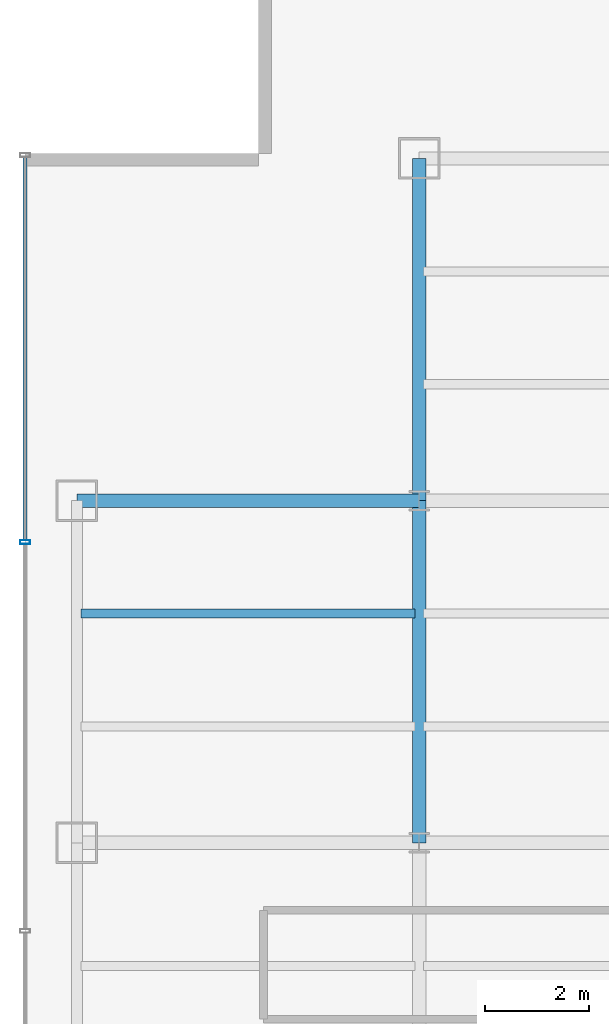
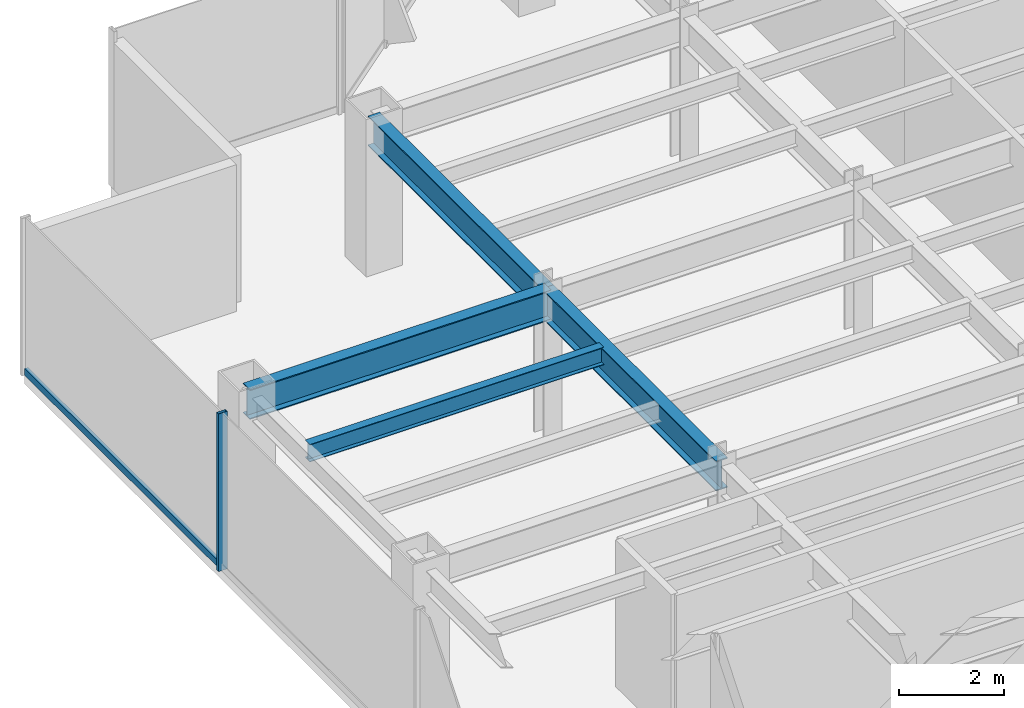
# One storey, part 6 of 26: 4 beams, 2 members, 1 element without a shape of its own.
"""IFC4 building model written with IfcOpenShell, lengths in metres."""

from ifc_helpers import new_model, si_unit, derived_unit, direction, frame, origin, origin_2d, place, context, subcontext, project, spatial, hollow_rectangle, i_section, extrude, source, transform, mapped, material, material_profile, profile_set, type_object, element, aggregate, save


model = new_model("IFC4")

# Units and contexts
model_context = context("Model", 3, precision=1e-05, world=origin(), true_north=direction((0.0, 1.0)))
body_context = subcontext(model_context, "Body", "Model", "MODEL_VIEW")
ifc_project = project(units=[si_unit("LENGTHUNIT", "METRE"), si_unit("AREAUNIT", "SQUARE_METRE"), si_unit("VOLUMEUNIT", "CUBIC_METRE"), si_unit("PLANEANGLEUNIT", "RADIAN"), si_unit("MASSUNIT", "GRAM", prefix="KILO"), derived_unit("THERMALTRANSMITTANCEUNIT", [(si_unit("POWERUNIT", "WATT"), 1), (si_unit("LENGTHUNIT", "METRE"), -2), (si_unit("THERMODYNAMICTEMPERATUREUNIT", "KELVIN"), -1)])], contexts=[model_context])

# Site, building, storey
site_placement = place(None, origin())
site = spatial("IfcSite", under=ifc_project, at=site_placement, CompositionType="ELEMENT")
building_placement = place(site_placement, origin())
building = spatial("IfcBuilding", under=site, at=building_placement, Name="Skarnbrae Concourse Arena and Tower", CompositionType="ELEMENT")
storey_placement = place(building_placement, frame((0.0, 0.0, 114.199951171875)))
storey = spatial("IfcBuildingStorey", under=building, at=storey_placement, Name="L28", CompositionType="ELEMENT", Elevation=114.199951171875)

# Beams
ifc_material_1 = material(Name="Steel CSA G40.21 350W", Category="steel")
ifc_material_profile_1 = material_profile(ifc_material_1, i_section(OverallWidth=0.256103515625, OverallDepth=0.693115234375, WebThickness=0.014404296875, FlangeThickness=0.023681640625, at=origin_2d()), Name="W690X170")
ifc_profile_set_1 = profile_set([ifc_material_profile_1], Name="Steel CSA G40.21 350W")
beam_type_1 = type_object("IfcBeamType", Name="BM-GIRD-W690X170", PredefinedType="BEAM", material=ifc_profile_set_1)
shared_shape_1 = source(origin(), body_context, "Body", "SweptSolid", [
    extrude(i_section(OverallWidth=0.256103515625, OverallDepth=0.693115234375, WebThickness=0.014404296875, FlangeThickness=0.023681640625, at=origin_2d()), origin(), (0.0, 0.0, 1.0), 6.60009765625),
])
for number, where, z_axis, x_axis, name in (
    (1, (1.0, 27.800048828125, 3.053466796875), (1.0, 0.0, 0.0), (0.0, 1.0, 0.0), "L28 Primary E-W girder Y27.8-1"),
    (2, (7.60009765625, 21.199951171875, 3.053466796875), (0.0, 1.0, 0.0), (-1.0, 0.0, 0.0), "L28 Primary N-S girder X7.6-2"),
):
    element("IfcBeam", number, at=place(storey_placement, frame(where, z_axis=z_axis, x_axis=x_axis)), inside=storey, type_object=beam_type_1, Name=name, PredefinedType="BEAM", context=body_context, shape_type="MappedRepresentation", body=[
        mapped(shared_shape_1, transform((0.0, 0.0, 0.0))),
    ])
shared_shape_2 = source(origin(), body_context, "Body", "SweptSolid", [
    extrude(i_section(OverallWidth=0.256103515625, OverallDepth=0.693115234375, WebThickness=0.014404296875, FlangeThickness=0.023681640625, at=origin_2d()), origin(), (0.0, 0.0, 1.0), 6.599853515625),
])
beam_1_placement = place(storey_placement, frame((7.60009765625, 27.800048828125, 3.053466796875), z_axis=(0.0, 1.0, 0.0), x_axis=(-1.0, 0.0, 0.0)))
element("IfcBeam", 3, at=beam_1_placement, inside=storey, type_object=beam_type_1, Name="L28 Primary N-S girder X7.6-3", PredefinedType="BEAM", context=body_context, shape_type="MappedRepresentation", body=[
    mapped(shared_shape_2, transform((0.0, 0.0, 0.0))),
])
ifc_material_profile_2 = material_profile(ifc_material_1, i_section(OverallWidth=0.177978515625, OverallDepth=0.406982421875, WebThickness=0.0078125, FlangeThickness=0.0126953125, at=origin_2d()), Name="W410X60")
ifc_profile_set_2 = profile_set([ifc_material_profile_2], Name="Steel CSA G40.21 350W")
beam_type_2 = type_object("IfcBeamType", Name="BM-JOIST-W410X60", PredefinedType="JOIST", material=ifc_profile_set_2)
shared_shape_3 = source(origin(), body_context, "Body", "SweptSolid", [
    extrude(i_section(OverallWidth=0.177978515625, OverallDepth=0.406982421875, WebThickness=0.0078125, FlangeThickness=0.0126953125, at=origin_2d()), origin(), (0.0, 0.0, 1.0), 6.43994140625),
])
beam_2_placement = place(storey_placement, frame((1.080078125, 25.6220703125, 3.196533203125), z_axis=(1.0, 0.0, 0.0), x_axis=(0.0, 1.0, 0.0)))
element("IfcBeam", 4, at=beam_2_placement, inside=storey, type_object=beam_type_2, Name="L28 Secondary floor joist 2.2.1", PredefinedType="JOIST", context=body_context, shape_type="MappedRepresentation", body=[
    mapped(shared_shape_3, transform((0.0, 0.0, 0.0))),
])

# Curtain wall, members
ifc_material_2 = material(Name="Bronze anodised aluminium 6063-T6", Category="aluminium")
curtain_wall_type = type_object("IfcCurtainWallType", Name="CW-SYS-04-MIDZONE", PredefinedType="USERDEFINED", material=ifc_material_2)
curtain_wall_placement = place(storey_placement, origin())
curtain_wall = element("IfcCurtainWall", 5, at=curtain_wall_placement, inside=storey, type_object=curtain_wall_type, Name="L28 Unitised curtain wall CW-L28-E19", ObjectType="UNITISED CURTAIN WALL", PredefinedType="USERDEFINED")
ifc_material_profile_3 = material_profile(ifc_material_2, hollow_rectangle(XDim=0.074951171875, YDim=0.195068359375, WallThickness=0.00439453125, at=origin_2d()), Name="ALU-MULL-75X195")
ifc_profile_set_3 = profile_set([ifc_material_profile_3], Name="Bronze anodised aluminium 6063-T6")
member_type_1 = type_object("IfcMemberType", Name="CWM-CW-04", PredefinedType="MULLION", material=ifc_profile_set_3)
shared_shape_4 = source(origin(), body_context, "Body", "SweptSolid", [
    extrude(hollow_rectangle(XDim=0.074951171875, YDim=0.195068359375, WallThickness=0.00439453125, at=origin_2d()), origin(), (0.0, 0.0, 1.0), 3.650146484375),
])
member_1_placement = place(storey_placement, frame((0.0, 27.0, 0.0), z_axis=(0.0, 0.0, 1.0), x_axis=(0.0, -1.0, 0.0)))
member_1 = element("IfcMember", 6, at=member_1_placement, type_object=member_type_1, Name="CW-L28-E19 Mullion 2", PredefinedType="MULLION", context=body_context, shape_type="MappedRepresentation", body=[
    mapped(shared_shape_4, transform((0.0, 0.0, 0.0))),
])
ifc_material_profile_4 = material_profile(ifc_material_2, hollow_rectangle(XDim=0.074951171875, YDim=0.159912109375, WallThickness=0.00439453125, at=origin_2d()), Name="ALU-TRAN-75X160")
ifc_profile_set_4 = profile_set([ifc_material_profile_4], Name="Bronze anodised aluminium 6063-T6")
member_type_2 = type_object("IfcMemberType", Name="CWT-CW-04", PredefinedType="USERDEFINED", material=ifc_profile_set_4)
shared_shape_5 = source(origin(), body_context, "Body", "SweptSolid", [
    extrude(hollow_rectangle(XDim=0.074951171875, YDim=0.159912109375, WallThickness=0.00439453125, at=origin_2d()), origin(), (0.0, 0.0, 1.0), 7.387451171875),
])
member_2_placement = place(storey_placement, frame((0.0, 34.425048828125, 0.080078125), z_axis=(0.0, -1.0, 0.0), x_axis=(1.0, 0.0, 0.0)))
member_2 = element("IfcMember", 7, at=member_2_placement, type_object=member_type_2, Name="CW-L28-E19 Transom 1", ObjectType="TRANSOM", PredefinedType="USERDEFINED", context=body_context, shape_type="MappedRepresentation", body=[
    mapped(shared_shape_5, transform((0.0, 0.0, 0.0))),
])
aggregate(curtain_wall, [member_1, member_2])

save(model, "model.ifc")
